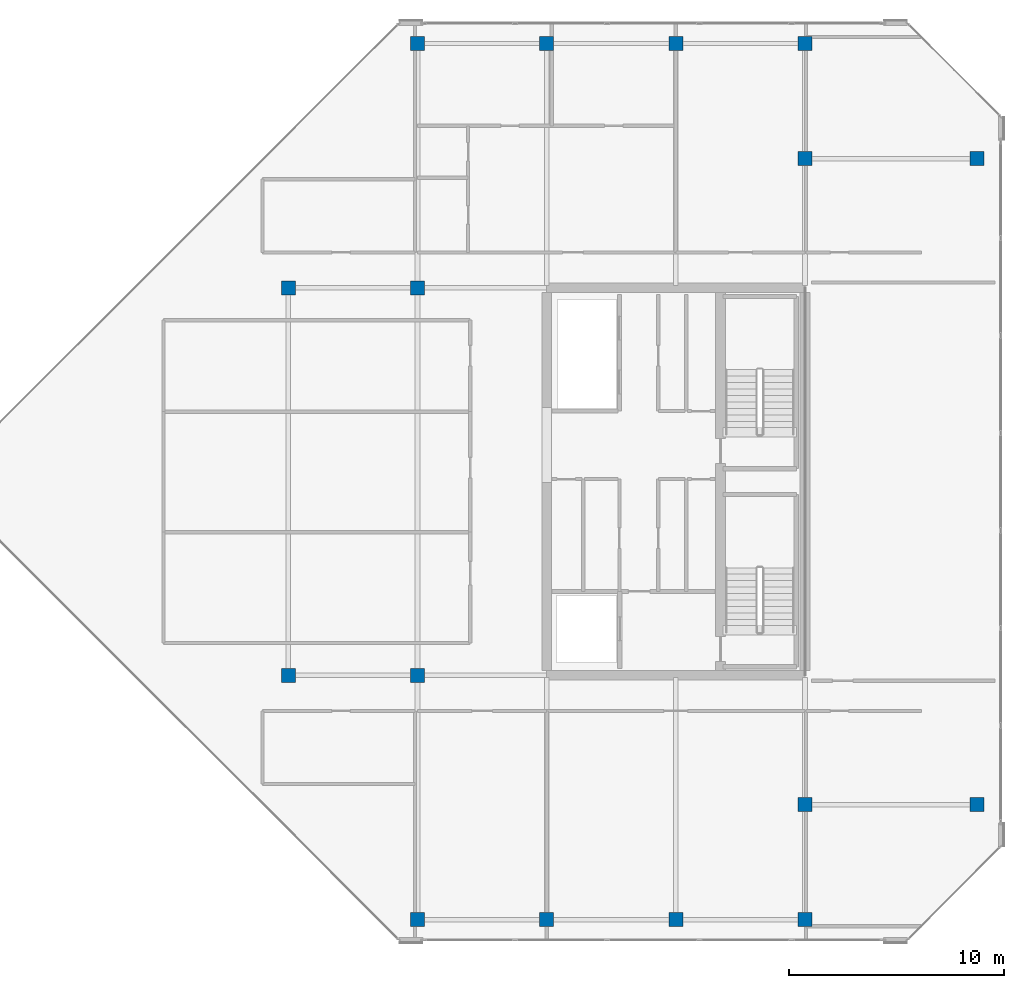
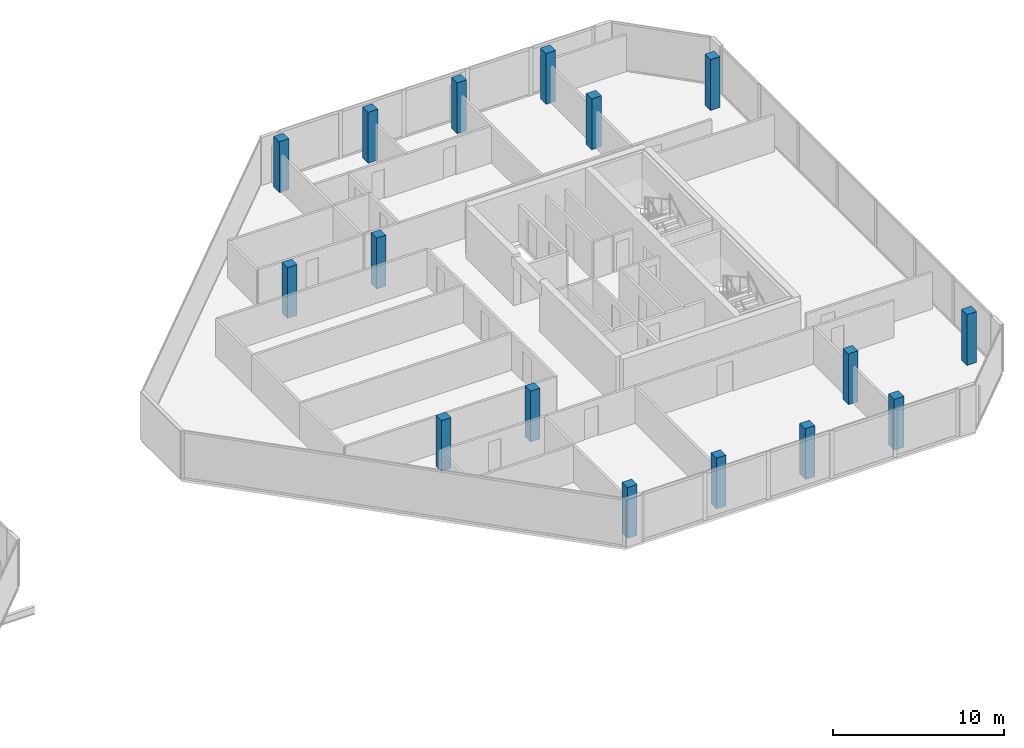
# One storey, part 1 of 30: 16 columns.
"""IFC4 building model written with IfcOpenShell, lengths in metres."""

from ifc_helpers import new_model, si_unit, direction, frame, origin, origin_2d, place, context, subcontext, project, spatial, rectangle, extrude, material, material_profile, profile_set, type_object, element, save


model = new_model("IFC4")

# Units and contexts
model_context = context("Model", 3, precision=1e-05, world=origin(), true_north=direction((0.0, 1.0)))
body_context = subcontext(model_context, "Body", "Model", "MODEL_VIEW")
ifc_project = project(units=[si_unit("LENGTHUNIT", "METRE"), si_unit("AREAUNIT", "SQUARE_METRE"), si_unit("VOLUMEUNIT", "CUBIC_METRE"), si_unit("PLANEANGLEUNIT", "RADIAN"), si_unit("MASSUNIT", "GRAM", prefix="KILO")], contexts=[model_context])

# Site, building, storey
site_placement = place(None, origin())
site = spatial("IfcSite", under=ifc_project, at=site_placement, CompositionType="ELEMENT")
building_placement = place(site_placement, origin())
building = spatial("IfcBuilding", under=site, at=building_placement, Name="Tanjung Sevakor Pilgrim Tower", CompositionType="ELEMENT")
storey_placement = place(building_placement, frame((0.0, 0.0, 253.43994140625)))
storey = spatial("IfcBuildingStorey", under=building, at=storey_placement, Name="L71", CompositionType="ELEMENT", Elevation=253.43994140625)

# Columns
ifc_material = material(Name="Concrete C60/75", Category="concrete")
ifc_material_profile = material_profile(ifc_material, rectangle(XDim=0.64990234375, YDim=0.64990234375, at=origin_2d()))
ifc_profile_set = profile_set([ifc_material_profile], Name="Concrete C60/75")
column_type = type_object("IfcColumnType", Name="COL-C-T650-RC_650x650", PredefinedType="COLUMN", material=ifc_profile_set)
for number, where, z_axis, x_axis, name in (
    (1, (66.0, 24.60009765625, 0.0), (0.0, 0.0, 1.0), (1.0, 0.0, 0.0), "L71 Column SPE-066-246"),
    (2, (66.0, 42.60009765625, 0.0), (0.0, 0.0, 1.0), (1.0, 0.0, 0.0), "L71 Column SPE-066-426"),
    (3, (72.0, 24.60009765625, 0.0), (0.0, 0.0, 1.0), (1.0, 0.0, 0.0), "L71 Column SPE-072-246"),
    (4, (72.0, 42.60009765625, 0.0), (0.0, 0.0, 1.0), (1.0, 0.0, 0.0), "L71 Column SPE-072-426"),
    (5, (90.0, 18.60009765625, 0.0), (0.0, 0.0, 1.0), (1.0, 0.0, 0.0), "L71 Column TCE-0900-186"),
    (6, (90.0, 48.60009765625, 0.0), (0.0, 0.0, 1.0), (1.0, 0.0, 0.0), "L71 Column TCE-0900-486"),
    (7, (98.0, 18.60009765625, 0.0), (0.0, 0.0, 1.0), (1.0, 0.0, 0.0), "L71 Column TCE-0980-186"),
    (8, (98.0, 48.60009765625, 0.0), (0.0, 0.0, 1.0), (1.0, 0.0, 0.0), "L71 Column TCE-0980-486"),
    (9, (72.0, 13.25, 0.0), (0.0, 0.0, 1.0), (1.0, 0.0, 0.0), "L71 Column TC4-072-132"),
    (10, (72.0, 53.949951171875, 0.0), (0.0, 0.0, 1.0), (1.0, 0.0, 0.0), "L71 Column TC4-072-540"),
    (11, (78.0, 13.25, 0.0), (0.0, 0.0, 1.0), (1.0, 0.0, 0.0), "L71 Column TC4-078-132"),
    (12, (78.0, 53.949951171875, 0.0), (0.0, 0.0, 1.0), (1.0, 0.0, 0.0), "L71 Column TC4-078-540"),
    (13, (84.0, 13.25, 0.0), (0.0, 0.0, 1.0), (1.0, 0.0, 0.0), "L71 Column TC4-084-132"),
    (14, (84.0, 53.949951171875, 0.0), (0.0, 0.0, 1.0), (1.0, 0.0, 0.0), "L71 Column TC4-084-540"),
    (15, (90.0, 13.25, 0.0), (0.0, 0.0, 1.0), (1.0, 0.0, 0.0), "L71 Column TC4-090-132"),
    (16, (90.0, 53.949951171875, 0.0), (0.0, 0.0, 1.0), (1.0, 0.0, 0.0), "L71 Column TC4-090-540"),
):
    element("IfcColumn", number, at=place(storey_placement, frame(where, z_axis=z_axis, x_axis=x_axis)), inside=storey, type_object=column_type, Name=name, PredefinedType="COLUMN", context=body_context, shape_type="SweptSolid", body=[
        extrude(rectangle(XDim=0.64990234375, YDim=0.64990234375, at=origin_2d()), origin(), (0.0, 0.0, 1.0), 3.630126953125),
    ])

save(model, "model.ifc")
